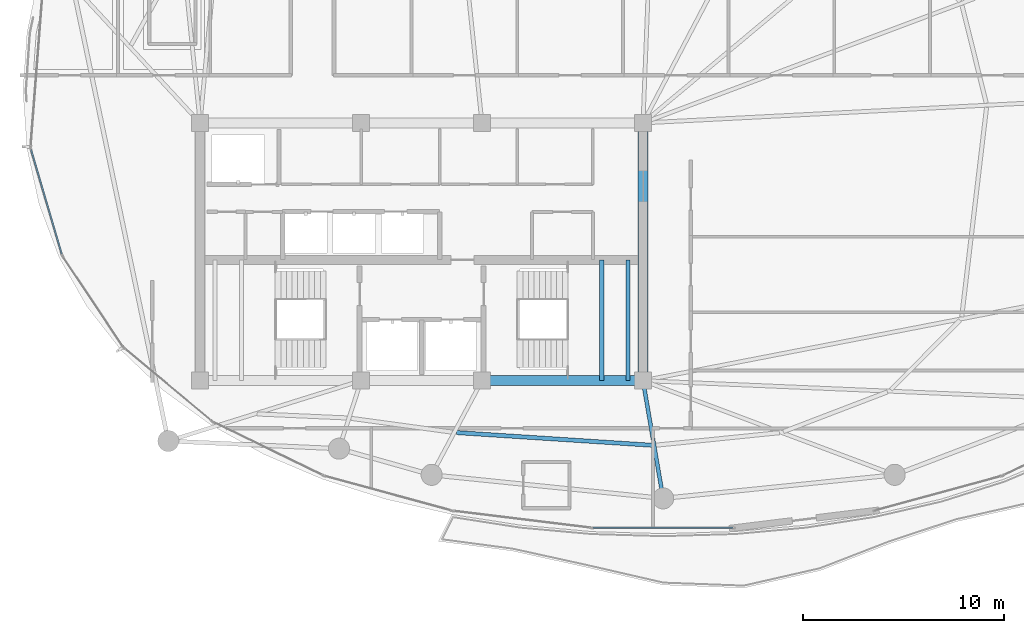
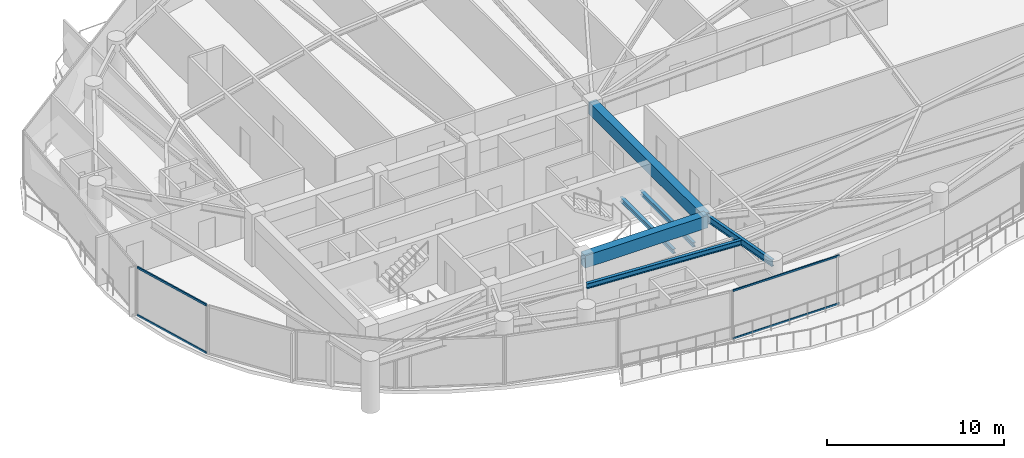
# One storey, part 7 of 31: 6 beams, 4 members, 2 elements without a shape of their own.
"""IFC4 building model written with IfcOpenShell, lengths in metres."""

import ifcopenshell
import ifcopenshell.guid

model = None  # the IFC model being written
_history = None  # IfcOwnerHistory: only IFC2X3 demands one
_inside = {}  # id of a spatial element -> (the spatial element, [elements in it])
_under = {}  # id of a project, library or spatial element -> (it, [spatial elements below it])
_declared = {}  # id of a project -> (the project, [libraries it declares])
_typed = {}  # id of a type object -> (the type object, [elements of that type])
_made_of = {}  # id of a material, layer set ... -> (it, [elements and type objects made of it])


def new_model(schema):
    """Start an empty IFC model of exactly this schema.

    Asked for "IFC4X3", IfcOpenShell would pick the latest addendum, in which some entities
    have other attributes; the version numbers below select the first issue.
    IFC2X3 requires an IfcOwnerHistory on every rooted entity: one is made here for all.
    """
    global model, _history
    if schema == "IFC4X3":
        model = ifcopenshell.file(schema_version=(4, 3, 0, 0))
    else:
        model = ifcopenshell.file(schema=schema)
    _inside.clear()
    _under.clear()
    _declared.clear()
    _typed.clear()
    _made_of.clear()
    _history = None
    if model.schema == "IFC2X3":
        org = make("IfcOrganization", Name="unknown")
        user = make(
            "IfcPersonAndOrganization",
            ThePerson=make("IfcPerson", FamilyName="unknown"),
            TheOrganization=org,
        )
        app = make(
            "IfcApplication",
            ApplicationDeveloper=org,
            Version="unknown",
            ApplicationFullName="unknown",
            ApplicationIdentifier="unknown",
        )
        _history = make(
            "IfcOwnerHistory",
            OwningUser=user,
            OwningApplication=app,
            ChangeAction="ADDED",
            CreationDate=0,
        )
    return model


def make(cls, **values):
    """One entity of the class cls with the attributes given. An attribute that is None is left unset."""
    return model.create_entity(
        cls, **{name: value for name, value in values.items() if value is not None}
    )


def rooted(cls, **values):
    """An entity with a GlobalId (a new one), such as an element, a storey or a relation."""
    return make(cls, GlobalId=ifcopenshell.guid.new(), OwnerHistory=_history, **values)


def si_unit(unit_type, name, prefix=None):
    """IfcSIUnit, for example si_unit("LENGTHUNIT", "METRE", prefix="MILLI")."""
    return make("IfcSIUnit", UnitType=unit_type, Prefix=prefix, Name=name)


def assignment(units):
    """IfcUnitAssignment: the units of a project."""
    return None if units is None else make("IfcUnitAssignment", Units=units)


def point(xyz):
    """IfcCartesianPoint."""
    return None if xyz is None else make("IfcCartesianPoint", Coordinates=xyz)


def direction(xyz):
    """IfcDirection."""
    return None if xyz is None else make("IfcDirection", DirectionRatios=xyz)


def frame(location, z_axis=None, x_axis=None):
    """IfcAxis2Placement3D, a coordinate frame: its origin and axes. An axis left out is left unset."""
    return make(
        "IfcAxis2Placement3D",
        Location=point(location),
        Axis=direction(z_axis),
        RefDirection=direction(x_axis),
    )


def frame_2d(location, x_axis=None):
    """IfcAxis2Placement2D, a coordinate frame in the plane: its origin and x axis."""
    return make(
        "IfcAxis2Placement2D", Location=point(location), RefDirection=direction(x_axis)
    )


def origin():
    """The frame at (0, 0, 0) with its axes left unset."""
    return frame((0.0, 0.0, 0.0))


def origin_2d():
    """The frame at (0, 0) in the plane with its x axis left unset."""
    return frame_2d((0.0, 0.0))


def place(relative_to, where):
    """IfcLocalPlacement: puts the frame where relative to a parent placement (None: the world)."""
    return make(
        "IfcLocalPlacement", PlacementRelTo=relative_to, RelativePlacement=where
    )


def context(
    kind, dimensions, precision=None, world=None, true_north=None, identifier=None
):
    """IfcGeometricRepresentationContext, for example the 3D "Model" context."""
    return make(
        "IfcGeometricRepresentationContext",
        ContextIdentifier=identifier,
        ContextType=kind,
        CoordinateSpaceDimension=dimensions,
        Precision=precision,
        WorldCoordinateSystem=world,
        TrueNorth=true_north,
    )


def subcontext(parent, identifier, kind, view, scale=None):
    """IfcGeometricRepresentationSubContext, for example "Body" below "Model"."""
    return make(
        "IfcGeometricRepresentationSubContext",
        ContextIdentifier=identifier,
        ContextType=kind,
        ParentContext=parent,
        TargetScale=scale,
        TargetView=view,
    )


def project(units=None, contexts=None):
    """IfcProject with its units and contexts."""
    return rooted(
        "IfcProject",
        Name="project",
        RepresentationContexts=contexts,
        UnitsInContext=assignment(units),
    )


def spatial(cls, under=None, at=None, **own):
    """A site, building, storey or space (cls), placed at a placement, below another one or the project."""
    s = rooted(cls, ObjectPlacement=at, **own)
    if under is not None:
        _under.setdefault(under.id(), (under, []))[1].append(s)
    return s


def profile(cls, at=None, kind="AREA", **sizes):
    """A parametric profile (cls). Its sizes go by their IFC names, for example OverallWidth=200.0."""
    return make(cls, ProfileType=kind, Position=at, **sizes)


def rectangle(**sizes):
    """IfcRectangleProfileDef."""
    return profile("IfcRectangleProfileDef", **sizes)


def hollow_rectangle(**sizes):
    """IfcRectangleHollowProfileDef."""
    return profile("IfcRectangleHollowProfileDef", **sizes)


def i_section(**sizes):
    """IfcIShapeProfileDef."""
    return profile("IfcIShapeProfileDef", **sizes)


def extrude(swept, where, along, depth):
    """IfcExtrudedAreaSolid: the profile swept, set in the frame where, extruded along a direction by depth."""
    return make(
        "IfcExtrudedAreaSolid",
        SweptArea=swept,
        Position=where,
        ExtrudedDirection=direction(along),
        Depth=depth,
    )


def shape(context_of_items, identifier, shape_type, items):
    """IfcShapeRepresentation: the items that make up one representation, for example the "Body"."""
    return make(
        "IfcShapeRepresentation",
        ContextOfItems=context_of_items,
        RepresentationIdentifier=identifier,
        RepresentationType=shape_type,
        Items=items,
    )


def material(Name=None, Category=None):
    """IfcMaterial."""
    return make("IfcMaterial", Name=Name, Category=Category)


def layer(
    of_material, thickness, ventilated=None, Name=None, Category=None, Priority=None
):
    """IfcMaterialLayer: one layer of a wall or slab, of a material (None: an air gap)."""
    return make(
        "IfcMaterialLayer",
        Material=of_material,
        LayerThickness=thickness,
        IsVentilated=ventilated,
        Name=Name,
        Category=Category,
        Priority=Priority,
    )


def layer_set(layers, Name=None):
    """IfcMaterialLayerSet."""
    return make("IfcMaterialLayerSet", MaterialLayers=layers, LayerSetName=Name)


def material_profile(
    of_material, cross_section, Name=None, Category=None, Priority=None
):
    """IfcMaterialProfile: a cross section and its material."""
    return make(
        "IfcMaterialProfile",
        Name=Name,
        Material=of_material,
        Profile=cross_section,
        Priority=Priority,
        Category=Category,
    )


def profile_set(profiles, Name=None, composite=None):
    """IfcMaterialProfileSet."""
    return make(
        "IfcMaterialProfileSet",
        Name=Name,
        MaterialProfiles=profiles,
        CompositeProfile=composite,
    )


def made_of(thing, what):
    """Note that an element or type object is made of a material, layer set ...; save() writes the relation."""
    if what is not None:
        _made_of.setdefault(what.id(), (what, []))[1].append(thing)
    return thing


def type_object(cls, material=None, **own):
    """A type object (cls), such as IfcWallType, which elements share."""
    return made_of(rooted(cls, **own), material)


def element(
    cls,
    number,
    at=None,
    inside=None,
    cuts=None,
    type_object=None,
    material=None,
    context=None,
    identifier="Body",
    shape_type=None,
    held_by="IfcProductDefinitionShape",
    body=None,
    shapes=None,
    **own,
):
    """One element of the class cls, such as IfcWall. Its Tag is "e" and its number.

    at: its placement. inside: the storey or other place that contains it. cuts: it is an
    opening in that element (IfcRelVoidsElement). A single representation is given by context,
    identifier, shape_type and body (its items); several are given by shapes. held_by: the class
    of the entity that holds the representations. save() writes the other relations.
    """
    e = rooted(cls, Tag="e%d" % number, ObjectPlacement=at, **own)
    if body is not None:
        shapes = [shape(context, identifier, shape_type, body)]
    if shapes is not None:
        e.Representation = make(held_by, Representations=shapes)
    if inside is not None:
        _inside.setdefault(inside.id(), (inside, []))[1].append(e)
    if cuts is not None:
        rooted(
            "IfcRelVoidsElement", RelatingBuildingElement=cuts, RelatedOpeningElement=e
        )
    if type_object is not None:
        _typed.setdefault(type_object.id(), (type_object, []))[1].append(e)
    return made_of(e, material)


def aggregate(whole, parts):
    """IfcRelAggregates: a whole, such as a stair, and the parts it consists of."""
    return rooted("IfcRelAggregates", RelatingObject=whole, RelatedObjects=parts)


def save(model, path):
    """Write the relations noted so far, then the file.

    IfcRelAggregates (storeys below a building ...), IfcRelContainedInSpatialStructure (elements
    in a storey), IfcRelDefinesByType, IfcRelAssociatesMaterial and IfcRelDeclares: one each for
    every whole, place, type object, material and project.
    """
    for whole, parts in _under.values():
        aggregate(whole, parts)
    for where, things in _inside.values():
        rooted(
            "IfcRelContainedInSpatialStructure",
            RelatedElements=things,
            RelatingStructure=where,
        )
    for kind, things in _typed.values():
        rooted("IfcRelDefinesByType", RelatedObjects=things, RelatingType=kind)
    for what, things in _made_of.values():
        rooted("IfcRelAssociatesMaterial", RelatedObjects=things, RelatingMaterial=what)
    for by, libraries in _declared.values():
        rooted("IfcRelDeclares", RelatingContext=by, RelatedDefinitions=libraries)
    model.write(path)


model = new_model("IFC4")

# Units and contexts
model_context = context("Model", 3, precision=1e-05, world=origin(), true_north=direction((0.0, 1.0)))
body_context = subcontext(model_context, "Body", "Model", "MODEL_VIEW")
ifc_project = project(units=[si_unit("LENGTHUNIT", "METRE"), si_unit("AREAUNIT", "SQUARE_METRE"), si_unit("VOLUMEUNIT", "CUBIC_METRE"), si_unit("PLANEANGLEUNIT", "RADIAN"), si_unit("MASSUNIT", "GRAM", prefix="KILO")], contexts=[model_context])

# Site, building, storey
site_placement = place(None, origin())
site = spatial("IfcSite", under=ifc_project, at=site_placement, CompositionType="ELEMENT")
building_placement = place(site_placement, origin())
building = spatial("IfcBuilding", under=site, at=building_placement, Name="Kazevale Care Tower and Concert Hall", CompositionType="ELEMENT")
storey_placement = place(building_placement, frame((0.0, 0.0, 238.800048828125)))
storey = spatial("IfcBuildingStorey", under=building, at=storey_placement, Name="L63", CompositionType="ELEMENT", Elevation=238.800048828125)

# Curtain wall, members
ifc_material_1 = material(Name="Aluminium 6063-T6 and Low-E Glass", Category="aluminium")
ifc_layer_1 = layer(ifc_material_1, 0.179931640625)
ifc_layer_set_1 = layer_set([ifc_layer_1], Name="Aluminium 6063-T6 and Low-E Glass")
curtain_wall_type_1 = type_object("IfcCurtainWallType", Name="Waist & Upper Residential Curtain Wall CW-4", PredefinedType="NOTDEFINED", material=ifc_layer_set_1)
curtain_wall_1_placement = place(storey_placement, origin())
curtain_wall_1 = element("IfcCurtainWall", 1, at=curtain_wall_1_placement, inside=storey, type_object=curtain_wall_type_1, Name="cw:L63:f12", PredefinedType="NOTDEFINED")
ifc_material_2 = material(Name="Aluminium 6063-T6", Category="aluminium")
ifc_material_profile_1 = material_profile(ifc_material_2, hollow_rectangle(XDim=0.080078125, YDim=0.139892578125, WallThickness=0.00390625, at=origin_2d()), Name="ALU80x140x4")
ifc_profile_set_1 = profile_set([ifc_material_profile_1], Name="Aluminium 6063-T6")
member_type_1 = type_object("IfcMemberType", Name="CW-4 Transom ALU80x140x4", PredefinedType="USERDEFINED", material=ifc_profile_set_1)
member_1_placement = place(storey_placement, frame((15.12548828125, 29.897705078125, 0.0400390625), z_axis=(-0.282102705943, 0.95938421047, 0.0), x_axis=(-0.95938421047, -0.282102705943, 0.0)))
member_1 = element("IfcMember", 2, at=member_1_placement, type_object=member_type_1, Name="CW-4 transom 1.1", ObjectType="TRANSOM", PredefinedType="USERDEFINED", context=body_context, shape_type="SweptSolid", body=[
    extrude(hollow_rectangle(XDim=0.080078125, YDim=0.139892578125, WallThickness=0.00390625, at=origin_2d()), origin(), (0.0, 0.0, 1.0), 5.402099609375),
])
member_2_placement = place(storey_placement, frame((15.12548828125, 29.897705078125, 3.320068359375), z_axis=(-0.282102705943, 0.95938421047, 0.0), x_axis=(-0.95938421047, -0.282102705943, 0.0)))
member_2 = element("IfcMember", 3, at=member_2_placement, type_object=member_type_1, Name="CW-4 transom 1.2", ObjectType="TRANSOM", PredefinedType="USERDEFINED", context=body_context, shape_type="SweptSolid", body=[
    extrude(hollow_rectangle(XDim=0.080078125, YDim=0.139892578125, WallThickness=0.00390625, at=origin_2d()), origin(), (0.0, 0.0, 1.0), 5.402099609375),
])
aggregate(curtain_wall_1, [member_1, member_2])

ifc_layer_2 = layer(ifc_material_1, 0.179931640625)
ifc_layer_set_2 = layer_set([ifc_layer_2], Name="Aluminium 6063-T6 and Low-E Glass")
curtain_wall_type_2 = type_object("IfcCurtainWallType", Name="Sheltered Concave Balcony Curtain Wall CW-5", PredefinedType="NOTDEFINED", material=ifc_layer_set_2)
curtain_wall_2_placement = place(storey_placement, origin())
curtain_wall_2 = element("IfcCurtainWall", 4, at=curtain_wall_2_placement, inside=storey, type_object=curtain_wall_type_2, Name="cw:L63:f06", PredefinedType="NOTDEFINED")
ifc_material_profile_2 = material_profile(ifc_material_2, hollow_rectangle(XDim=0.074951171875, YDim=0.1201171875, WallThickness=0.00390625, at=origin_2d()), Name="ALU75x120x4")
ifc_profile_set_2 = profile_set([ifc_material_profile_2], Name="Aluminium 6063-T6")
member_type_2 = type_object("IfcMemberType", Name="CW-5 Transom ALU75x120x4", PredefinedType="USERDEFINED", material=ifc_profile_set_2)
member_3_placement = place(storey_placement, frame((48.47509765625, 16.284912109375, 0.037353515625), z_axis=(-1.0, 0.0, 0.0), x_axis=(0.0, -1.0, 0.0)))
member_3 = element("IfcMember", 5, at=member_3_placement, type_object=member_type_2, Name="CW-5 transom 1.1", ObjectType="TRANSOM", PredefinedType="USERDEFINED", context=body_context, shape_type="SweptSolid", body=[
    extrude(hollow_rectangle(XDim=0.074951171875, YDim=0.1201171875, WallThickness=0.00390625, at=origin_2d()), origin(), (0.0, 0.0, 1.0), 6.9501953125),
])
member_4_placement = place(storey_placement, frame((48.47509765625, 16.284912109375, 3.322509765625), z_axis=(-1.0, 0.0, 0.0), x_axis=(0.0, -1.0, 0.0)))
member_4 = element("IfcMember", 6, at=member_4_placement, type_object=member_type_2, Name="CW-5 transom 1.2", ObjectType="TRANSOM", PredefinedType="USERDEFINED", context=body_context, shape_type="SweptSolid", body=[
    extrude(hollow_rectangle(XDim=0.074951171875, YDim=0.1201171875, WallThickness=0.00390625, at=origin_2d()), origin(), (0.0, 0.0, 1.0), 6.9501953125),
])
aggregate(curtain_wall_2, [member_3, member_4])

# Beams
ifc_material_3 = material(Name="Concrete C60", Category="concrete")
ifc_material_profile_3 = material_profile(ifc_material_3, rectangle(XDim=0.5, YDim=0.85009765625, at=origin_2d()), Name="RC-B500x850")
ifc_profile_set_3 = profile_set([ifc_material_profile_3], Name="Concrete C60")
beam_type_1 = type_object("IfcBeamType", Name="Core Coupling Beam RC500x850", PredefinedType="LINTEL", material=ifc_profile_set_3)
beam_1_placement = place(storey_placement, frame((36.0, 23.60009765625, 2.93505859375), z_axis=(1.0, 0.0, 0.0), x_axis=(0.0, 1.0, 0.0)))
element("IfcBeam", 7, at=beam_1_placement, inside=storey, type_object=beam_type_1, Name="beam:L63:coretie:3", PredefinedType="LINTEL", context=body_context, shape_type="SweptSolid", body=[
    extrude(rectangle(XDim=0.5, YDim=0.85009765625, at=origin_2d()), origin(), (0.0, 0.0, 1.0), 8.0),
])
beam_2_placement = place(storey_placement, frame((44.0, 23.60009765625, 2.93505859375), z_axis=(0.0, 1.0, 0.0), x_axis=(-1.0, 0.0, 0.0)))
element("IfcBeam", 8, at=beam_2_placement, inside=storey, type_object=beam_type_1, Name="beam:L63:coretie:4", PredefinedType="LINTEL", context=body_context, shape_type="SweptSolid", body=[
    extrude(rectangle(XDim=0.5, YDim=0.85009765625, at=origin_2d()), origin(), (0.0, 0.0, 1.0), 12.7998046875),
])
ifc_material_4 = material(Name="Steel ASTM A572 Gr 50", Category="steel")
ifc_material_profile_4 = material_profile(ifc_material_4, i_section(OverallWidth=0.19091796875, OverallDepth=0.4599609375, WebThickness=0.010009765625, FlangeThickness=0.01611328125, at=origin_2d()), Name="W460x82")
ifc_profile_set_4 = profile_set([ifc_material_profile_4], Name="Steel ASTM A572 Gr 50")
beam_type_2 = type_object("IfcBeamType", Name="Radial Floor Beam W460x82", PredefinedType="BEAM", material=ifc_profile_set_4)
beam_3_placement = place(storey_placement, frame((44.0, 23.60009765625, 3.1298828125), z_axis=(0.168493389607, -0.985702783631, 0.0), x_axis=(0.985702783631, 0.168493389607, 0.0)))
element("IfcBeam", 9, at=beam_3_placement, inside=storey, type_object=beam_type_2, Name="beam:L63:rad:13", PredefinedType="BEAM", context=body_context, shape_type="SweptSolid", body=[
    extrude(i_section(OverallWidth=0.19091796875, OverallDepth=0.4599609375, WebThickness=0.010009765625, FlangeThickness=0.01611328125, at=origin_2d()), origin(), (0.0, 0.0, 1.0), 5.93505859375),
])
ifc_material_profile_5 = material_profile(ifc_material_4, i_section(OverallWidth=0.205078125, OverallDepth=0.35400390625, WebThickness=0.009521484375, FlangeThickness=0.016845703125, at=origin_2d()), Name="W360x79")
ifc_profile_set_5 = profile_set([ifc_material_profile_5], Name="Steel ASTM A572 Gr 50")
beam_type_3 = type_object("IfcBeamType", Name="Secondary Floor Joist W360x79", PredefinedType="JOIST", material=ifc_profile_set_5)
beam_4_placement = place(storey_placement, frame((34.72998046875, 21.01904296875, 3.182861328125), z_axis=(0.997903161374, -0.064724651559, 0.0), x_axis=(0.064724651559, 0.997903161374, 0.0)))
element("IfcBeam", 10, at=beam_4_placement, inside=storey, type_object=beam_type_3, Name="beam:L63:joist:12", PredefinedType="JOIST", context=body_context, shape_type="SweptSolid", body=[
    extrude(i_section(OverallWidth=0.205078125, OverallDepth=0.35400390625, WebThickness=0.009521484375, FlangeThickness=0.016845703125, at=origin_2d()), origin(), (0.0, 0.0, 1.0), 9.735595703125),
])
ifc_material_profile_6 = material_profile(ifc_material_4, i_section(OverallWidth=0.202880859375, OverallDepth=0.302978515625, WebThickness=0.007568359375, FlangeThickness=0.01318359375, at=origin_2d()), Name="W310x60")
ifc_profile_set_6 = profile_set([ifc_material_profile_6], Name="Steel ASTM A572 Gr 50")
beam_type_4 = type_object("IfcBeamType", Name="Stair & Balcony Trimmer W310x60", PredefinedType="BEAM", material=ifc_profile_set_6)
for number, where, z_axis, x_axis, name in (
    (11, (41.949951171875, 23.60009765625, 1.448486328125), (0.0, 1.0, 0.0), (-1.0, 0.0, 0.0), "beam:L63:sttrim:ST2"),
    (12, (43.25, 23.60009765625, 1.448486328125), (0.0, 1.0, 0.0), (-1.0, 0.0, 0.0), "beam:L63:sttrim:ST2b"),
):
    element("IfcBeam", number, at=place(storey_placement, frame(where, z_axis=z_axis, x_axis=x_axis)), inside=storey, type_object=beam_type_4, Name=name, PredefinedType="BEAM", context=body_context, shape_type="SweptSolid", body=[
        extrude(i_section(OverallWidth=0.202880859375, OverallDepth=0.302978515625, WebThickness=0.007568359375, FlangeThickness=0.01318359375, at=origin_2d()), origin(), (0.0, 0.0, 1.0), 6.0),
    ])

save(model, "model.ifc")
